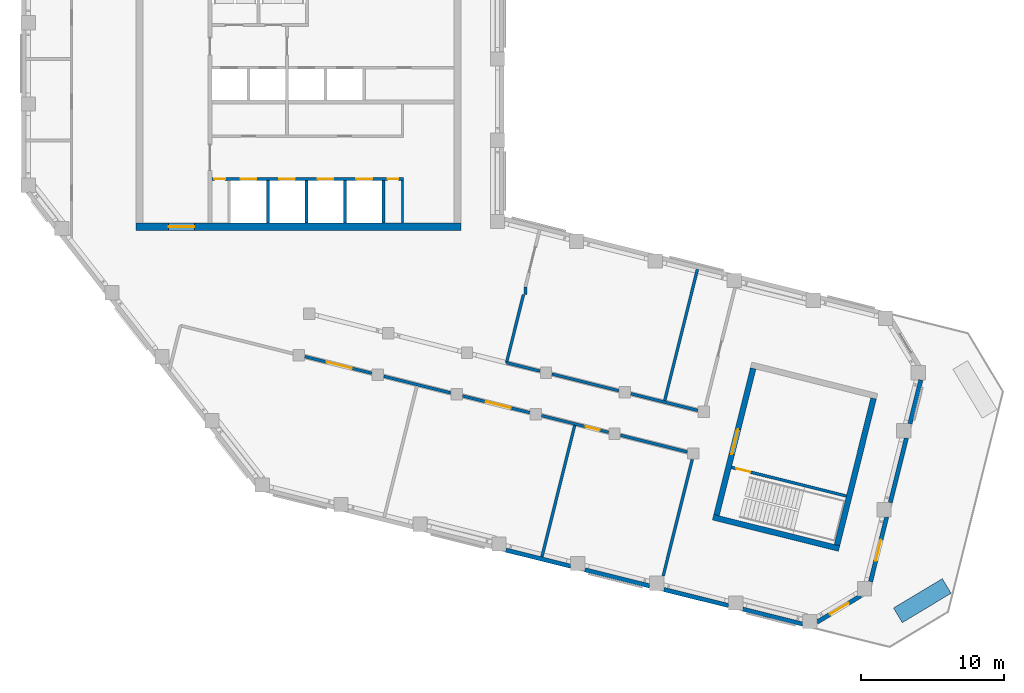
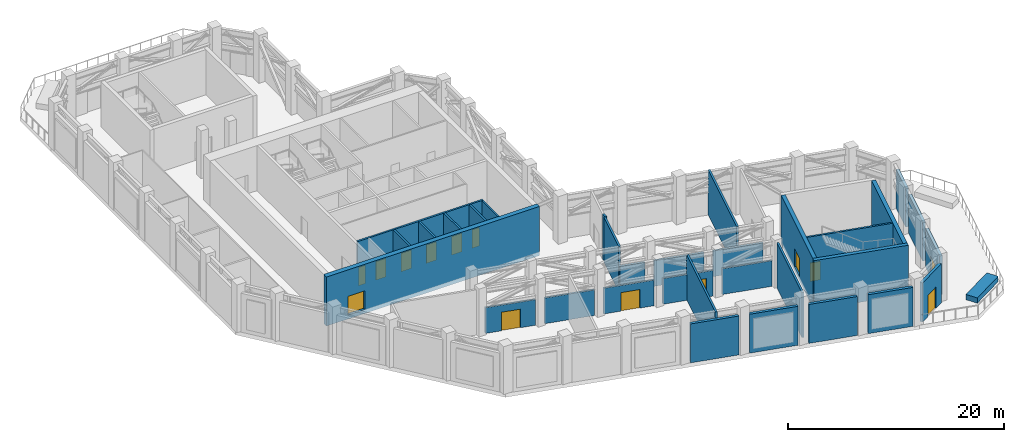
# One storey, part 4 of 8: 33 walls, 14 doors, 14 openings.
"""IFC4 building model written with IfcOpenShell, lengths in metres."""

import ifcopenshell
import ifcopenshell.guid

model = None  # the IFC model being written
_history = None  # IfcOwnerHistory: only IFC2X3 demands one
_inside = {}  # id of a spatial element -> (the spatial element, [elements in it])
_under = {}  # id of a project, library or spatial element -> (it, [spatial elements below it])
_declared = {}  # id of a project -> (the project, [libraries it declares])
_typed = {}  # id of a type object -> (the type object, [elements of that type])
_made_of = {}  # id of a material, layer set ... -> (it, [elements and type objects made of it])


def new_model(schema):
    """Start an empty IFC model of exactly this schema.

    Asked for "IFC4X3", IfcOpenShell would pick the latest addendum, in which some entities
    have other attributes; the version numbers below select the first issue.
    IFC2X3 requires an IfcOwnerHistory on every rooted entity: one is made here for all.
    """
    global model, _history
    if schema == "IFC4X3":
        model = ifcopenshell.file(schema_version=(4, 3, 0, 0))
    else:
        model = ifcopenshell.file(schema=schema)
    _inside.clear()
    _under.clear()
    _declared.clear()
    _typed.clear()
    _made_of.clear()
    _history = None
    if model.schema == "IFC2X3":
        org = make("IfcOrganization", Name="unknown")
        user = make(
            "IfcPersonAndOrganization",
            ThePerson=make("IfcPerson", FamilyName="unknown"),
            TheOrganization=org,
        )
        app = make(
            "IfcApplication",
            ApplicationDeveloper=org,
            Version="unknown",
            ApplicationFullName="unknown",
            ApplicationIdentifier="unknown",
        )
        _history = make(
            "IfcOwnerHistory",
            OwningUser=user,
            OwningApplication=app,
            ChangeAction="ADDED",
            CreationDate=0,
        )
    return model


def make(cls, **values):
    """One entity of the class cls with the attributes given. An attribute that is None is left unset."""
    return model.create_entity(
        cls, **{name: value for name, value in values.items() if value is not None}
    )


def rooted(cls, **values):
    """An entity with a GlobalId (a new one), such as an element, a storey or a relation."""
    return make(cls, GlobalId=ifcopenshell.guid.new(), OwnerHistory=_history, **values)


def si_unit(unit_type, name, prefix=None):
    """IfcSIUnit, for example si_unit("LENGTHUNIT", "METRE", prefix="MILLI")."""
    return make("IfcSIUnit", UnitType=unit_type, Prefix=prefix, Name=name)


def assignment(units):
    """IfcUnitAssignment: the units of a project."""
    return None if units is None else make("IfcUnitAssignment", Units=units)


def point(xyz):
    """IfcCartesianPoint."""
    return None if xyz is None else make("IfcCartesianPoint", Coordinates=xyz)


def direction(xyz):
    """IfcDirection."""
    return None if xyz is None else make("IfcDirection", DirectionRatios=xyz)


def frame(location, z_axis=None, x_axis=None):
    """IfcAxis2Placement3D, a coordinate frame: its origin and axes. An axis left out is left unset."""
    return make(
        "IfcAxis2Placement3D",
        Location=point(location),
        Axis=direction(z_axis),
        RefDirection=direction(x_axis),
    )


def frame_2d(location, x_axis=None):
    """IfcAxis2Placement2D, a coordinate frame in the plane: its origin and x axis."""
    return make(
        "IfcAxis2Placement2D", Location=point(location), RefDirection=direction(x_axis)
    )


def origin():
    """The frame at (0, 0, 0) with its axes left unset."""
    return frame((0.0, 0.0, 0.0))


def place(relative_to, where):
    """IfcLocalPlacement: puts the frame where relative to a parent placement (None: the world)."""
    return make(
        "IfcLocalPlacement", PlacementRelTo=relative_to, RelativePlacement=where
    )


def context(
    kind, dimensions, precision=None, world=None, true_north=None, identifier=None
):
    """IfcGeometricRepresentationContext, for example the 3D "Model" context."""
    return make(
        "IfcGeometricRepresentationContext",
        ContextIdentifier=identifier,
        ContextType=kind,
        CoordinateSpaceDimension=dimensions,
        Precision=precision,
        WorldCoordinateSystem=world,
        TrueNorth=true_north,
    )


def subcontext(parent, identifier, kind, view, scale=None):
    """IfcGeometricRepresentationSubContext, for example "Body" below "Model"."""
    return make(
        "IfcGeometricRepresentationSubContext",
        ContextIdentifier=identifier,
        ContextType=kind,
        ParentContext=parent,
        TargetScale=scale,
        TargetView=view,
    )


def project(units=None, contexts=None):
    """IfcProject with its units and contexts."""
    return rooted(
        "IfcProject",
        Name="project",
        RepresentationContexts=contexts,
        UnitsInContext=assignment(units),
    )


def spatial(cls, under=None, at=None, **own):
    """A site, building, storey or space (cls), placed at a placement, below another one or the project."""
    s = rooted(cls, ObjectPlacement=at, **own)
    if under is not None:
        _under.setdefault(under.id(), (under, []))[1].append(s)
    return s


def profile(cls, at=None, kind="AREA", **sizes):
    """A parametric profile (cls). Its sizes go by their IFC names, for example OverallWidth=200.0."""
    return make(cls, ProfileType=kind, Position=at, **sizes)


def rectangle(**sizes):
    """IfcRectangleProfileDef."""
    return profile("IfcRectangleProfileDef", **sizes)


def extrude(swept, where, along, depth):
    """IfcExtrudedAreaSolid: the profile swept, set in the frame where, extruded along a direction by depth."""
    return make(
        "IfcExtrudedAreaSolid",
        SweptArea=swept,
        Position=where,
        ExtrudedDirection=direction(along),
        Depth=depth,
    )


def shape(context_of_items, identifier, shape_type, items):
    """IfcShapeRepresentation: the items that make up one representation, for example the "Body"."""
    return make(
        "IfcShapeRepresentation",
        ContextOfItems=context_of_items,
        RepresentationIdentifier=identifier,
        RepresentationType=shape_type,
        Items=items,
    )


def material(Name=None, Category=None):
    """IfcMaterial."""
    return make("IfcMaterial", Name=Name, Category=Category)


def layer(
    of_material, thickness, ventilated=None, Name=None, Category=None, Priority=None
):
    """IfcMaterialLayer: one layer of a wall or slab, of a material (None: an air gap)."""
    return make(
        "IfcMaterialLayer",
        Material=of_material,
        LayerThickness=thickness,
        IsVentilated=ventilated,
        Name=Name,
        Category=Category,
        Priority=Priority,
    )


def layer_set(layers, Name=None):
    """IfcMaterialLayerSet."""
    return make("IfcMaterialLayerSet", MaterialLayers=layers, LayerSetName=Name)


def made_of(thing, what):
    """Note that an element or type object is made of a material, layer set ...; save() writes the relation."""
    if what is not None:
        _made_of.setdefault(what.id(), (what, []))[1].append(thing)
    return thing


def type_object(cls, material=None, **own):
    """A type object (cls), such as IfcWallType, which elements share."""
    return made_of(rooted(cls, **own), material)


def element(
    cls,
    number,
    at=None,
    inside=None,
    cuts=None,
    type_object=None,
    material=None,
    context=None,
    identifier="Body",
    shape_type=None,
    held_by="IfcProductDefinitionShape",
    body=None,
    shapes=None,
    **own,
):
    """One element of the class cls, such as IfcWall. Its Tag is "e" and its number.

    at: its placement. inside: the storey or other place that contains it. cuts: it is an
    opening in that element (IfcRelVoidsElement). A single representation is given by context,
    identifier, shape_type and body (its items); several are given by shapes. held_by: the class
    of the entity that holds the representations. save() writes the other relations.
    """
    e = rooted(cls, Tag="e%d" % number, ObjectPlacement=at, **own)
    if body is not None:
        shapes = [shape(context, identifier, shape_type, body)]
    if shapes is not None:
        e.Representation = make(held_by, Representations=shapes)
    if inside is not None:
        _inside.setdefault(inside.id(), (inside, []))[1].append(e)
    if cuts is not None:
        rooted(
            "IfcRelVoidsElement", RelatingBuildingElement=cuts, RelatedOpeningElement=e
        )
    if type_object is not None:
        _typed.setdefault(type_object.id(), (type_object, []))[1].append(e)
    return made_of(e, material)


def fill(opening, filler):
    """IfcRelFillsElement: the door or window that sits in an opening."""
    return rooted(
        "IfcRelFillsElement",
        RelatingOpeningElement=opening,
        RelatedBuildingElement=filler,
    )


def aggregate(whole, parts):
    """IfcRelAggregates: a whole, such as a stair, and the parts it consists of."""
    return rooted("IfcRelAggregates", RelatingObject=whole, RelatedObjects=parts)


def save(model, path):
    """Write the relations noted so far, then the file.

    IfcRelAggregates (storeys below a building ...), IfcRelContainedInSpatialStructure (elements
    in a storey), IfcRelDefinesByType, IfcRelAssociatesMaterial and IfcRelDeclares: one each for
    every whole, place, type object, material and project.
    """
    for whole, parts in _under.values():
        aggregate(whole, parts)
    for where, things in _inside.values():
        rooted(
            "IfcRelContainedInSpatialStructure",
            RelatedElements=things,
            RelatingStructure=where,
        )
    for kind, things in _typed.values():
        rooted("IfcRelDefinesByType", RelatedObjects=things, RelatingType=kind)
    for what, things in _made_of.values():
        rooted("IfcRelAssociatesMaterial", RelatedObjects=things, RelatingMaterial=what)
    for by, libraries in _declared.values():
        rooted("IfcRelDeclares", RelatingContext=by, RelatedDefinitions=libraries)
    model.write(path)


model = new_model("IFC4")

# Units and contexts
model_context = context("Model", 3, precision=1e-05, world=origin(), true_north=direction((0.0, 1.0)))
body_context = subcontext(model_context, "Body", "Model", "MODEL_VIEW")
ifc_project = project(units=[si_unit("LENGTHUNIT", "METRE"), si_unit("AREAUNIT", "SQUARE_METRE"), si_unit("VOLUMEUNIT", "CUBIC_METRE"), si_unit("PLANEANGLEUNIT", "RADIAN"), si_unit("MASSUNIT", "GRAM", prefix="KILO")], contexts=[model_context])

# Site, building, storey
site_placement = place(None, origin())
site = spatial("IfcSite", under=ifc_project, at=site_placement, CompositionType="ELEMENT")
building_placement = place(site_placement, origin())
building = spatial("IfcBuilding", under=site, at=building_placement, Name="Meshkara Civic Tower", CompositionType="ELEMENT")
storey_placement = place(building_placement, frame((0.0, 0.0, 348.60009765625)))
storey = spatial("IfcBuildingStorey", under=building, at=storey_placement, Name="L80", CompositionType="ELEMENT", Elevation=348.60009765625)

# Wall
ifc_material_1 = material(Name="Blockwork", Category="masonry")
ifc_layer_1 = layer(ifc_material_1, 0.14990234375)
ifc_layer_set_1 = layer_set([ifc_layer_1], Name="Core partition 150")
wall_type_1 = type_object("IfcWallType", Name="Core partition 150", PredefinedType="PARTITIONING", material=ifc_layer_set_1)
wall_1_placement = place(storey_placement, frame((26.699951171875, 14.60009765625, 0.0), z_axis=(0.0, 0.0, 1.0), x_axis=(0.0, 1.0, 0.0)))
element("IfcWall", 1, at=wall_1_placement, inside=storey, type_object=wall_type_1, Name="L80-C024", PredefinedType="PARTITIONING", context=body_context, shape_type="SweptSolid", body=[
    extrude(rectangle(XDim=3.0, YDim=0.14990234375, at=frame_2d((1.5, 0.0))), origin(), (0.0, 0.0, 1.0), 5.099853515625),
])

# Wall, opening, door
ifc_material_2 = material(Name="Concrete C60", Category="concrete")
ifc_layer_2 = layer(ifc_material_2, 0.5)
ifc_layer_set_2 = layer_set([ifc_layer_2], Name="Core ring wall 500 C60")
wall_type_2 = type_object("IfcWallType", Name="Core ring wall 500 C60", PredefinedType="SHEAR", material=ifc_layer_set_2)
wall_2_placement = place(storey_placement, frame((8.0, 14.35009765625, -0.4501953125), z_axis=(0.0, 0.0, 1.0), x_axis=(1.0, 0.0, 0.0)))
wall_2 = element("IfcWall", 2, at=wall_2_placement, inside=storey, type_object=wall_type_2, Name="L80-C001", PredefinedType="SHEAR", context=body_context, shape_type="SweptSolid", body=[
    extrude(rectangle(XDim=22.800048828125, YDim=0.5, at=frame_2d((11.39990234375, 0.0))), origin(), (0.0, 0.0, 1.0), 5.550048828125),
])
opening_1_placement = place(wall_2_placement, frame((2.300048828125, 0.0, 0.449951171875)))
opening_1 = element("IfcOpeningElement", 3, at=opening_1_placement, cuts=wall_2, Name="Opening L80-K023", PredefinedType="OPENING", context=body_context, shape_type="SweptSolid", body=[
    extrude(rectangle(XDim=1.800048828125, YDim=2.10009765625, at=frame_2d((0.89990234375, 1.050048828125))), frame((0.0, 0.260009765625, 0.0), z_axis=(0.0, -1.0, 0.0), x_axis=(1.0, 0.0, 0.0)), (0.0, 0.0, 1.0), 0.52001953125),
])
ifc_material_3 = material(Name="Fire-rated door leaf in steel frame", Category="steel")
door_type_1 = type_object("IfcDoorType", Name="Core double door 1800 EI 60", OperationType="DOUBLE_DOOR_SINGLE_SWING", PredefinedType="DOOR", material=ifc_material_3)
door_1_placement = place(opening_1_placement, origin())
door_1 = element("IfcDoor", 4, at=door_1_placement, inside=storey, type_object=door_type_1, Name="L80-K023", OperationType="DOUBLE_DOOR_SINGLE_SWING", OverallHeight=2.10009765625, OverallWidth=1.800048828125, PredefinedType="DOOR", context=body_context, shape_type="SweptSolid", body=[
    extrude(rectangle(XDim=1.800048828125, YDim=2.10009765625, at=frame_2d((0.89990234375, 1.050048828125))), frame((0.0, 0.02490234375, 0.0), z_axis=(0.0, -1.0, 0.0), x_axis=(1.0, 0.0, 0.0)), (0.0, 0.0, 1.0), 0.050048828125),
])
fill(opening_1, door_1)

# Walls
ifc_material_4 = material(Name="Insulated infill panel with bronze anodised aluminium cladding", Category="aluminium")
ifc_layer_3 = layer(ifc_material_4, 0.300048828125)
ifc_layer_set_3 = layer_set([ifc_layer_3], Name="EXTERNAL INFILL WALL 300")
wall_type_3 = type_object("IfcWallType", Name="EXTERNAL INFILL WALL 300", PredefinedType="SOLIDWALL", material=ifc_layer_set_3)
wall_3_placement = place(storey_placement, frame((33.943115234375, -8.30908203125, 0.0), z_axis=(0.0, 0.0, 1.0), x_axis=(0.970335948358, -0.241760516472, 0.0)))
element("IfcWall", 5, at=wall_3_placement, inside=storey, type_object=wall_type_3, Name="External wall", PredefinedType="SOLIDWALL", context=body_context, shape_type="SweptSolid", body=[
    extrude(rectangle(XDim=4.66943359375, YDim=0.300048828125, at=frame_2d((2.334716796875, 0.0))), origin(), (0.0, 0.0, 1.0), 4.39990234375),
])
wall_4_placement = place(storey_placement, frame((39.47412109375, -9.68798828125, 0.0), z_axis=(0.0, 0.0, 1.0), x_axis=(0.970320663071, -0.241821857607, 0.0)))
element("IfcWall", 6, at=wall_4_placement, inside=storey, type_object=wall_type_3, Name="External wall", PredefinedType="SOLIDWALL", context=body_context, shape_type="SweptSolid", body=[
    extrude(rectangle(XDim=4.66845703125, YDim=0.300048828125, at=frame_2d((2.334228515625, 0.0))), origin(), (0.0, 0.0, 1.0), 4.39990234375),
])
wall_5_placement = place(storey_placement, frame((45.00390625, -11.06689453125, 0.0), z_axis=(0.0, 0.0, 1.0), x_axis=(0.970323682052, -0.241809743493, 0.0)))
element("IfcWall", 7, at=wall_5_placement, inside=storey, type_object=wall_type_3, Name="External wall", PredefinedType="SOLIDWALL", context=body_context, shape_type="SweptSolid", body=[
    extrude(rectangle(XDim=4.669677734375, YDim=0.300048828125, at=frame_2d((2.3349609375, 0.0))), origin(), (0.0, 0.0, 1.0), 4.39990234375),
])
wall_6_placement = place(storey_placement, frame((50.534912109375, -12.446044921875, 0.0), z_axis=(0.0, 0.0, 1.0), x_axis=(0.970314773992, -0.241845486566, 0.0)))
element("IfcWall", 8, at=wall_6_placement, inside=storey, type_object=wall_type_3, Name="External wall", PredefinedType="SOLIDWALL", context=body_context, shape_type="SweptSolid", body=[
    extrude(rectangle(XDim=4.32861328125, YDim=0.300048828125, at=frame_2d((2.164306640625, 0.0))), origin(), (0.0, 0.0, 1.0), 4.39990234375),
])

# Wall, opening, door
wall_7_placement = place(storey_placement, frame((55.735107421875, -13.35791015625, 0.0), z_axis=(0.0, 0.0, 1.0), x_axis=(0.857156682927, 0.515055745442, 0.0)))
wall_7 = element("IfcWall", 9, at=wall_7_placement, inside=storey, type_object=wall_type_3, Name="External wall", PredefinedType="SOLIDWALL", context=body_context, shape_type="SweptSolid", body=[
    extrude(rectangle(XDim=3.589599609375, YDim=0.300048828125, at=frame_2d((1.794921875, 0.0))), origin(), (0.0, 0.0, 1.0), 4.39990234375),
])
opening_2_placement = place(wall_7_placement, frame((1.077880859375, 0.0, 0.0)))
opening_2 = element("IfcOpeningElement", 10, at=opening_2_placement, cuts=wall_7, Name="Opening L80-L005", PredefinedType="OPENING", context=body_context, shape_type="SweptSolid", body=[
    extrude(rectangle(XDim=1.5, YDim=2.39990234375, at=frame_2d((0.75, 1.199951171875))), frame((0.0, 0.159912109375, 0.0), z_axis=(0.0, -1.0, 0.0), x_axis=(1.0, 0.0, 0.0)), (0.0, 0.0, 1.0), 0.320068359375),
])
ifc_material_5 = material(Name="Bronze anodised aluminium", Category="aluminium")
door_type_2 = type_object("IfcDoorType", Name="TERRACE DOOR 1500x2400", OperationType="DOUBLE_DOOR_SINGLE_SWING", PredefinedType="DOOR", material=ifc_material_5)
door_2_placement = place(opening_2_placement, origin())
door_2 = element("IfcDoor", 11, at=door_2_placement, inside=storey, type_object=door_type_2, Name="L80-L005", OperationType="DOUBLE_DOOR_SINGLE_SWING", OverallHeight=2.39990234375, OverallWidth=1.5, PredefinedType="DOOR", context=body_context, shape_type="SweptSolid", body=[
    extrude(rectangle(XDim=1.5, YDim=2.39990234375, at=frame_2d((0.75, 1.199951171875))), frame((0.0, 0.02490234375, 0.0), z_axis=(0.0, -1.0, 0.0), x_axis=(1.0, 0.0, 0.0)), (0.0, 0.0, 1.0), 0.050048828125),
])
fill(opening_2, door_2)

wall_8_placement = place(storey_placement, frame((59.4951171875, -10.509033203125, 0.0), z_axis=(0.0, 0.0, 1.0), x_axis=(0.241957413354, 0.970286870015, 0.0)))
wall_8 = element("IfcWall", 12, at=wall_8_placement, inside=storey, type_object=wall_type_3, Name="External wall", PredefinedType="SOLIDWALL", context=body_context, shape_type="SweptSolid", body=[
    extrude(rectangle(XDim=4.669677734375, YDim=0.300048828125, at=frame_2d((2.3349609375, 0.0))), origin(), (0.0, 0.0, 1.0), 4.39990234375),
])
opening_3_placement = place(wall_8_placement, frame((1.509033203125, 0.0, 0.0)))
opening_3 = element("IfcOpeningElement", 13, at=opening_3_placement, cuts=wall_8, Name="Opening L80-L006", PredefinedType="OPENING", context=body_context, shape_type="SweptSolid", body=[
    extrude(rectangle(XDim=1.5, YDim=2.39990234375, at=frame_2d((0.75, 1.199951171875))), frame((0.0, 0.159912109375, 0.0), z_axis=(0.0, -1.0, 0.0), x_axis=(1.0, 0.0, 0.0)), (0.0, 0.0, 1.0), 0.320068359375),
])
door_3_placement = place(opening_3_placement, origin())
door_3 = element("IfcDoor", 14, at=door_3_placement, inside=storey, type_object=door_type_2, Name="L80-L006", OperationType="DOUBLE_DOOR_SINGLE_SWING", OverallHeight=2.39990234375, OverallWidth=1.5, PredefinedType="DOOR", context=body_context, shape_type="SweptSolid", body=[
    extrude(rectangle(XDim=1.5, YDim=2.39990234375, at=frame_2d((0.75, 1.199951171875))), frame((0.0, 0.02490234375, 0.0), z_axis=(0.0, -1.0, 0.0), x_axis=(1.0, 0.0, 0.0)), (0.0, 0.0, 1.0), 0.050048828125),
])
fill(opening_3, door_3)

# Walls
wall_9_placement = place(storey_placement, frame((60.8740234375, -4.97802734375, 0.0), z_axis=(0.0, 0.0, 1.0), x_axis=(0.242006518844, 0.970274623412, 0.0)))
element("IfcWall", 15, at=wall_9_placement, inside=storey, type_object=wall_type_3, Name="External wall", PredefinedType="SOLIDWALL", context=body_context, shape_type="SweptSolid", body=[
    extrude(rectangle(XDim=4.668701171875, YDim=0.300048828125, at=frame_2d((2.33447265625, 0.0))), origin(), (0.0, 0.0, 1.0), 4.39990234375),
])
wall_10_placement = place(storey_placement, frame((62.2529296875, 0.552001953125, 0.0), z_axis=(0.0, 0.0, 1.0), x_axis=(0.242062480278, 0.970260663761, 0.0)))
element("IfcWall", 16, at=wall_10_placement, inside=storey, type_object=wall_type_3, Name="External wall", PredefinedType="SOLIDWALL", context=body_context, shape_type="SweptSolid", body=[
    extrude(rectangle(XDim=3.156982421875, YDim=0.300048828125, at=frame_2d((1.57861328125, 0.0))), origin(), (0.0, 0.0, 1.0), 4.39990234375),
])
ifc_material_6 = material(Name="Concrete C60", Category="concrete")
ifc_layer_4 = layer(ifc_material_6, 0.39990234375)
ifc_layer_set_4 = layer_set([ifc_layer_4], Name="End core ring wall 400 C60")
wall_type_4 = type_object("IfcWallType", Name="End core ring wall 400 C60", PredefinedType="SHEAR", material=ifc_layer_set_4)
wall_11_placement = place(storey_placement, frame((48.4580078125, -6.0009765625, -0.4501953125), z_axis=(0.0, 0.0, 1.0), x_axis=(0.970281225948, -0.241980045814, 0.0)))
element("IfcWall", 17, at=wall_11_placement, inside=storey, type_object=wall_type_4, Name="L80-C032", PredefinedType="SHEAR", context=body_context, shape_type="SweptSolid", body=[
    extrude(rectangle(XDim=9.099609375, YDim=0.39990234375, at=frame_2d((4.5498046875, 0.0))), origin(), (0.0, 0.0, 1.0), 5.550048828125),
])

# Wall, opening, door
wall_12_placement = place(storey_placement, frame((48.699951171875, -5.85595703125, -0.4501953125), z_axis=(0.0, 0.0, 1.0), x_axis=(0.241869030534, 0.970308905488, 0.0)))
wall_12 = element("IfcWall", 18, at=wall_12_placement, inside=storey, type_object=wall_type_4, Name="L80-C034", PredefinedType="SHEAR", context=body_context, shape_type="SweptSolid", body=[
    extrude(rectangle(XDim=10.6005859375, YDim=0.39990234375, at=frame_2d((5.30029296875, 0.0))), origin(), (0.0, 0.0, 1.0), 5.550048828125),
])
opening_4_placement = place(wall_12_placement, frame((4.39990234375, 0.0, 0.449951171875)))
opening_4 = element("IfcOpeningElement", 19, at=opening_4_placement, cuts=wall_12, Name="Opening L80-K202", PredefinedType="OPENING", context=body_context, shape_type="SweptSolid", body=[
    extrude(rectangle(XDim=1.800048828125, YDim=2.10009765625, at=frame_2d((0.89990234375, 1.050048828125))), frame((0.0, 0.2099609375, 0.0), z_axis=(0.0, -1.0, 0.0), x_axis=(1.0, 0.0, 0.0)), (0.0, 0.0, 1.0), 0.419921875),
])
door_4_placement = place(opening_4_placement, origin())
door_4 = element("IfcDoor", 20, at=door_4_placement, inside=storey, type_object=door_type_1, Name="L80-K202", OperationType="DOUBLE_DOOR_SINGLE_SWING", OverallHeight=2.10009765625, OverallWidth=1.800048828125, PredefinedType="DOOR", context=body_context, shape_type="SweptSolid", body=[
    extrude(rectangle(XDim=1.800048828125, YDim=2.10009765625, at=frame_2d((0.89990234375, 1.050048828125))), frame((0.0, 0.02490234375, 0.0), z_axis=(0.0, -1.0, 0.0), x_axis=(1.0, 0.0, 0.0)), (0.0, 0.0, 1.0), 0.050048828125),
])
fill(opening_4, door_4)

# Wall
wall_13_placement = place(storey_placement, frame((57.14208984375, -7.9599609375, -0.4501953125), z_axis=(0.0, 0.0, 1.0), x_axis=(0.241890652548, 0.970303515509, 0.0)))
element("IfcWall", 21, at=wall_13_placement, inside=storey, type_object=wall_type_4, Name="L80-C035", PredefinedType="SHEAR", context=body_context, shape_type="SweptSolid", body=[
    extrude(rectangle(XDim=10.599609375, YDim=0.39990234375, at=frame_2d((5.2998046875, 0.0))), origin(), (0.0, 0.0, 1.0), 5.550048828125),
])

# Wall, opening, door
ifc_material_7 = material(Name="Fire-rated wall 200")
ifc_layer_5 = layer(ifc_material_7, 0.199951171875)
ifc_layer_set_5 = layer_set([ifc_layer_5], Name="Fire-rated wall 200")
wall_type_5 = type_object("IfcWallType", Name="Fire-rated wall 200", PredefinedType="PARTITIONING", material=ifc_layer_set_5)
wall_14_placement = place(storey_placement, frame((19.843994140625, 5.256103515625, 0.0), z_axis=(0.0, 0.0, 1.0), x_axis=(0.970255294877, -0.242083999393, 0.0)))
wall_14 = element("IfcWall", 22, at=wall_14_placement, inside=storey, type_object=wall_type_5, Name="L80-R005", PredefinedType="PARTITIONING", context=body_context, shape_type="SweptSolid", body=[
    extrude(rectangle(XDim=4.833740234375, YDim=0.199951171875, at=frame_2d((2.4169921875, 0.0))), origin(), (0.0, 0.0, 1.0), 2.89990234375),
])
opening_5_placement = place(wall_14_placement, frame((1.580078125, 0.0, 0.0)))
opening_5 = element("IfcOpeningElement", 23, at=opening_5_placement, cuts=wall_14, Name="Opening L80-P001", PredefinedType="OPENING", context=body_context, shape_type="SweptSolid", body=[
    extrude(rectangle(XDim=1.800048828125, YDim=2.10009765625, at=frame_2d((0.89990234375, 1.050048828125))), frame((0.0, 0.10986328125, 0.0), z_axis=(0.0, -1.0, 0.0), x_axis=(1.0, 0.0, 0.0)), (0.0, 0.0, 1.0), 0.219970703125),
])
ifc_material_8 = material(Name="Door pair 1800 x 2100")
door_type_3 = type_object("IfcDoorType", Name="Door pair 1800 x 2100", OperationType="SINGLE_SWING_LEFT", PredefinedType="DOOR", material=ifc_material_8)
door_5_placement = place(opening_5_placement, origin())
door_5 = element("IfcDoor", 24, at=door_5_placement, inside=storey, type_object=door_type_3, Name="L80-P001", OperationType="DOUBLE_DOOR_SINGLE_SWING", OverallHeight=2.10009765625, OverallWidth=1.800048828125, PredefinedType="DOOR", context=body_context, shape_type="SweptSolid", body=[
    extrude(rectangle(XDim=1.800048828125, YDim=2.10009765625, at=frame_2d((0.89990234375, 1.050048828125))), frame((0.0, 0.02490234375, 0.0), z_axis=(0.0, -1.0, 0.0), x_axis=(1.0, 0.0, 0.0)), (0.0, 0.0, 1.0), 0.050048828125),
])
fill(opening_5, door_5)

# Wall
wall_15_placement = place(storey_placement, frame((25.3740234375, 3.876953125, 0.0), z_axis=(0.0, 0.0, 1.0), x_axis=(0.970278989292, -0.241989014088, 0.0)))
element("IfcWall", 25, at=wall_15_placement, inside=storey, type_object=wall_type_5, Name="L80-R006", PredefinedType="PARTITIONING", context=body_context, shape_type="SweptSolid", body=[
    extrude(rectangle(XDim=4.834716796875, YDim=0.199951171875, at=frame_2d((2.41748046875, 0.0))), origin(), (0.0, 0.0, 1.0), 2.89990234375),
])

# Wall, opening, door
wall_16_placement = place(storey_placement, frame((30.905029296875, 2.498046875, 0.0), z_axis=(0.0, 0.0, 1.0), x_axis=(0.970267131373, -0.24203655463, 0.0)))
wall_16 = element("IfcWall", 26, at=wall_16_placement, inside=storey, type_object=wall_type_5, Name="L80-R007", PredefinedType="PARTITIONING", context=body_context, shape_type="SweptSolid", body=[
    extrude(rectangle(XDim=4.834716796875, YDim=0.199951171875, at=frame_2d((2.41748046875, 0.0))), origin(), (0.0, 0.0, 1.0), 2.89990234375),
])
opening_6_placement = place(wall_16_placement, frame((1.679931640625, 0.0, 0.0)))
opening_6 = element("IfcOpeningElement", 27, at=opening_6_placement, cuts=wall_16, Name="Opening L80-P002", PredefinedType="OPENING", context=body_context, shape_type="SweptSolid", body=[
    extrude(rectangle(XDim=1.800048828125, YDim=2.10009765625, at=frame_2d((0.89990234375, 1.050048828125))), frame((0.0, 0.10986328125, 0.0), z_axis=(0.0, -1.0, 0.0), x_axis=(1.0, 0.0, 0.0)), (0.0, 0.0, 1.0), 0.219970703125),
])
door_6_placement = place(opening_6_placement, origin())
door_6 = element("IfcDoor", 28, at=door_6_placement, inside=storey, type_object=door_type_3, Name="L80-P002", OperationType="DOUBLE_DOOR_SINGLE_SWING", OverallHeight=2.10009765625, OverallWidth=1.800048828125, PredefinedType="DOOR", context=body_context, shape_type="SweptSolid", body=[
    extrude(rectangle(XDim=1.800048828125, YDim=2.10009765625, at=frame_2d((0.89990234375, 1.050048828125))), frame((0.0, 0.02490234375, 0.0), z_axis=(0.0, -1.0, 0.0), x_axis=(1.0, 0.0, 0.0)), (0.0, 0.0, 1.0), 0.050048828125),
])
fill(opening_6, door_6)

# Walls
wall_17_placement = place(storey_placement, frame((33.97607421875, 4.823974609375, 0.0), z_axis=(0.0, 0.0, 1.0), x_axis=(0.241940400058, 0.970291112409, 0.0)))
element("IfcWall", 29, at=wall_17_placement, inside=storey, type_object=wall_type_5, Name="L80-R008", PredefinedType="PARTITIONING", context=body_context, shape_type="SweptSolid", body=[
    extrude(rectangle(XDim=4.92236328125, YDim=0.199951171875, at=frame_2d((2.461181640625, 0.0))), origin(), (0.0, 0.0, 1.0), 5.099853515625),
])
wall_18_placement = place(storey_placement, frame((35.300048828125, 9.60009765625, 0.0), z_axis=(0.0, 0.0, 1.0), x_axis=(0.0, 1.0, 0.0)))
element("IfcWall", 30, at=wall_18_placement, inside=storey, type_object=wall_type_5, Name="L80-R009", PredefinedType="PARTITIONING", context=body_context, shape_type="SweptSolid", body=[
    extrude(rectangle(XDim=0.533935546875, YDim=0.199951171875, at=frame_2d((0.26708984375, 0.0))), origin(), (0.0, 0.0, 1.0), 5.099853515625),
])
wall_19_placement = place(storey_placement, frame((36.322021484375, 4.239013671875, 0.0), z_axis=(0.0, 0.0, 1.0), x_axis=(-0.970290814328, 0.241941595497, 0.0)))
element("IfcWall", 31, at=wall_19_placement, inside=storey, type_object=wall_type_5, Name="L80-R011", PredefinedType="PARTITIONING", context=body_context, shape_type="SweptSolid", body=[
    extrude(rectangle(XDim=2.417724609375, YDim=0.199951171875, at=frame_2d((1.208984375, 0.0))), origin(), (0.0, 0.0, 1.0), 2.89990234375),
])

# Wall, opening, door
wall_20_placement = place(storey_placement, frame((36.43603515625, 1.118896484375, 0.0), z_axis=(0.0, 0.0, 1.0), x_axis=(0.970267157301, -0.242036450692, 0.0)))
wall_20 = element("IfcWall", 32, at=wall_20_placement, inside=storey, type_object=wall_type_5, Name="L80-R012", PredefinedType="PARTITIONING", context=body_context, shape_type="SweptSolid", body=[
    extrude(rectangle(XDim=4.833740234375, YDim=0.199951171875, at=frame_2d((2.4169921875, 0.0))), origin(), (0.0, 0.0, 1.0), 2.89990234375),
])
opening_7_placement = place(wall_20_placement, frame((3.196044921875, 0.0, 0.0)))
opening_7 = element("IfcOpeningElement", 33, at=opening_7_placement, cuts=wall_20, Name="Opening L80-P003", PredefinedType="OPENING", context=body_context, shape_type="SweptSolid", body=[
    extrude(rectangle(XDim=1.0, YDim=2.10009765625, at=frame_2d((0.5, 1.050048828125))), frame((0.0, 0.10986328125, 0.0), z_axis=(0.0, -1.0, 0.0), x_axis=(1.0, 0.0, 0.0)), (0.0, 0.0, 1.0), 0.219970703125),
])
ifc_material_9 = material(Name="Door 1000 x 2100")
door_type_4 = type_object("IfcDoorType", Name="Door 1000 x 2100", OperationType="SINGLE_SWING_LEFT", PredefinedType="DOOR", material=ifc_material_9)
door_7_placement = place(opening_7_placement, origin())
door_7 = element("IfcDoor", 34, at=door_7_placement, inside=storey, type_object=door_type_4, Name="L80-P003", OperationType="SINGLE_SWING_LEFT", OverallHeight=2.10009765625, OverallWidth=1.0, PredefinedType="DOOR", context=body_context, shape_type="SweptSolid", body=[
    extrude(rectangle(XDim=1.0, YDim=2.10009765625, at=frame_2d((0.5, 1.050048828125))), frame((0.0, 0.02490234375, 0.0), z_axis=(0.0, -1.0, 0.0), x_axis=(1.0, 0.0, 0.0)), (0.0, 0.0, 1.0), 0.050048828125),
])
fill(opening_7, door_7)

# Walls
wall_21_placement = place(storey_placement, frame((41.85205078125, 2.860107421875, 0.0), z_axis=(0.0, 0.0, 1.0), x_axis=(-0.970267157301, 0.242036450692, 0.0)))
element("IfcWall", 35, at=wall_21_placement, inside=storey, type_object=wall_type_5, Name="L80-R013", PredefinedType="PARTITIONING", context=body_context, shape_type="SweptSolid", body=[
    extrude(rectangle(XDim=4.833740234375, YDim=0.199951171875, at=frame_2d((2.4169921875, 0.0))), origin(), (0.0, 0.0, 1.0), 2.89990234375),
])
wall_22_placement = place(storey_placement, frame((41.966064453125, -0.260009765625, 0.0), z_axis=(0.0, 0.0, 1.0), x_axis=(0.970278989292, -0.241989014088, 0.0)))
element("IfcWall", 36, at=wall_22_placement, inside=storey, type_object=wall_type_5, Name="L80-R014", PredefinedType="PARTITIONING", context=body_context, shape_type="SweptSolid", body=[
    extrude(rectangle(XDim=4.834716796875, YDim=0.199951171875, at=frame_2d((2.41748046875, 0.0))), origin(), (0.0, 0.0, 1.0), 2.89990234375),
])
wall_23_placement = place(storey_placement, frame((42.69189453125, 2.65087890625, 0.0), z_axis=(0.0, 0.0, 1.0), x_axis=(0.970281946202, -0.241977157752, 0.0)))
element("IfcWall", 37, at=wall_23_placement, inside=storey, type_object=wall_type_5, Name="L80-R015", PredefinedType="PARTITIONING", context=body_context, shape_type="SweptSolid", body=[
    extrude(rectangle(XDim=4.8349609375, YDim=0.199951171875, at=frame_2d((2.41748046875, 0.0))), origin(), (0.0, 0.0, 1.0), 2.89990234375),
])
wall_24_placement = place(storey_placement, frame((46.993896484375, -1.955078125, 0.0), z_axis=(0.0, 0.0, 1.0), x_axis=(-0.242023174026, -0.970270469114, 0.0)))
element("IfcWall", 38, at=wall_24_placement, inside=storey, type_object=wall_type_5, Name="L80-R016", PredefinedType="PARTITIONING", context=body_context, shape_type="SweptSolid", body=[
    extrude(rectangle(XDim=8.407958984375, YDim=0.199951171875, at=frame_2d((4.2041015625, 0.0))), origin(), (0.0, 0.0, 1.0), 5.099853515625),
])
wall_25_placement = place(storey_placement, frame((36.45361328125, -8.800537109375, 0.0), z_axis=(0.0, 0.0, 1.0), x_axis=(0.24194732437, 0.970289385818, 0.0)))
element("IfcWall", 39, at=wall_25_placement, inside=storey, type_object=wall_type_5, Name="L80-R022", PredefinedType="PARTITIONING", context=body_context, shape_type="SweptSolid", body=[
    extrude(rectangle(XDim=9.570068359375, YDim=0.199951171875, at=frame_2d((4.78515625, 0.0))), origin(), (0.0, 0.0, 1.0), 5.099853515625),
])
wall_26_placement = place(storey_placement, frame((45.050048828125, 2.114990234375, 0.0), z_axis=(0.0, 0.0, 1.0), x_axis=(0.241977272759, 0.970281917521, 0.0)))
element("IfcWall", 40, at=wall_26_placement, inside=storey, type_object=wall_type_5, Name="L80-R023", PredefinedType="PARTITIONING", context=body_context, shape_type="SweptSolid", body=[
    extrude(rectangle(XDim=9.56884765625, YDim=0.199951171875, at=frame_2d((4.784423828125, 0.0))), origin(), (0.0, 0.0, 1.0), 5.099853515625),
])
ifc_material_10 = material(Name="Concrete C40", Category="concrete")
ifc_layer_6 = layer(ifc_material_10, 1.199951171875)
ifc_layer_set_6 = layer_set([ifc_layer_6], Name="PLANTING BED")
wall_type_6 = type_object("IfcWallType", Name="PLANTING BED", PredefinedType="SOLIDWALL", material=ifc_layer_set_6)
wall_27_placement = place(storey_placement, frame((64.8310546875, -10.820068359375, 0.0), z_axis=(0.0, 0.0, 1.0), x_axis=(-0.857024019472, -0.515276459823, 0.0)))
element("IfcWall", 41, at=wall_27_placement, inside=storey, type_object=wall_type_6, Name="Planting bed", PredefinedType="SOLIDWALL", context=body_context, shape_type="SweptSolid", body=[
    extrude(rectangle(XDim=3.999755859375, YDim=1.199951171875, at=frame_2d((2.0, 0.0))), origin(), (0.0, 0.0, 1.0), 0.599853515625),
])

# Wall, openings, doors
ifc_material_11 = material(Name="Concrete C40/50", Category="concrete")
ifc_layer_7 = layer(ifc_material_11, 0.199951171875)
ifc_layer_set_7 = layer_set([ifc_layer_7], Name="Shaft wall 200 C40/50")
wall_type_7 = type_object("IfcWallType", Name="Shaft wall 200 C40/50", PredefinedType="SOLIDWALL", material=ifc_layer_set_7)
wall_28_placement = place(storey_placement, frame((13.35009765625, 17.699951171875, 0.0), z_axis=(0.0, 0.0, 1.0), x_axis=(1.0, 0.0, 0.0)))
wall_28 = element("IfcWall", 42, at=wall_28_placement, inside=storey, type_object=wall_type_7, Name="L80-C005", PredefinedType="SOLIDWALL", context=body_context, shape_type="SweptSolid", body=[
    extrude(rectangle(XDim=13.4248046875, YDim=0.199951171875, at=frame_2d((6.71240234375, 0.0))), origin(), (0.0, 0.0, 1.0), 5.099853515625),
])
opening_8_placement = place(wall_28_placement, frame((2.0, 0.0, 0.0)))
opening_8 = element("IfcOpeningElement", 43, at=opening_8_placement, cuts=wall_28, Name="Opening L80-K001", PredefinedType="OPENING", context=body_context, shape_type="SweptSolid", body=[
    extrude(rectangle(XDim=1.10009765625, YDim=2.10009765625, at=frame_2d((0.550048828125, 1.050048828125))), frame((0.0, 0.10986328125, 0.0), z_axis=(0.0, -1.0, 0.0), x_axis=(1.0, 0.0, 0.0)), (0.0, 0.0, 1.0), 0.219970703125),
])
opening_9_placement = place(wall_28_placement, frame((4.699951171875, 0.0, 0.0)))
opening_9 = element("IfcOpeningElement", 44, at=opening_9_placement, cuts=wall_28, Name="Opening L80-K002", PredefinedType="OPENING", context=body_context, shape_type="SweptSolid", body=[
    extrude(rectangle(XDim=1.10009765625, YDim=2.10009765625, at=frame_2d((0.550048828125, 1.050048828125))), frame((0.0, 0.10986328125, 0.0), z_axis=(0.0, -1.0, 0.0), x_axis=(1.0, 0.0, 0.0)), (0.0, 0.0, 1.0), 0.219970703125),
])
opening_10_placement = place(wall_28_placement, frame((7.39990234375, 0.0, 0.0)))
opening_10 = element("IfcOpeningElement", 45, at=opening_10_placement, cuts=wall_28, Name="Opening L80-K003", PredefinedType="OPENING", context=body_context, shape_type="SweptSolid", body=[
    extrude(rectangle(XDim=1.10009765625, YDim=2.10009765625, at=frame_2d((0.550048828125, 1.050048828125))), frame((0.0, 0.10986328125, 0.0), z_axis=(0.0, -1.0, 0.0), x_axis=(1.0, 0.0, 0.0)), (0.0, 0.0, 1.0), 0.219970703125),
])
opening_11_placement = place(wall_28_placement, frame((10.10009765625, 0.0, 0.0)))
opening_11 = element("IfcOpeningElement", 46, at=opening_11_placement, cuts=wall_28, Name="Opening L80-K004", PredefinedType="OPENING", context=body_context, shape_type="SweptSolid", body=[
    extrude(rectangle(XDim=1.10009765625, YDim=2.10009765625, at=frame_2d((0.550048828125, 1.050048828125))), frame((0.0, 0.10986328125, 0.0), z_axis=(0.0, -1.0, 0.0), x_axis=(1.0, 0.0, 0.0)), (0.0, 0.0, 1.0), 0.219970703125),
])
opening_12_placement = place(wall_28_placement, frame((0.14990234375, 0.0, 0.0)))
opening_12 = element("IfcOpeningElement", 47, at=opening_12_placement, cuts=wall_28, Name="Opening L80-K009", PredefinedType="OPENING", context=body_context, shape_type="SweptSolid", body=[
    extrude(rectangle(XDim=0.75, YDim=2.10009765625, at=frame_2d((0.375, 1.050048828125))), frame((0.0, 0.10986328125, 0.0), z_axis=(0.0, -1.0, 0.0), x_axis=(1.0, 0.0, 0.0)), (0.0, 0.0, 1.0), 0.219970703125),
])
opening_13_placement = place(wall_28_placement, frame((12.300048828125, 0.0, 0.0)))
opening_13 = element("IfcOpeningElement", 48, at=opening_13_placement, cuts=wall_28, Name="Opening L80-K010", PredefinedType="OPENING", context=body_context, shape_type="SweptSolid", body=[
    extrude(rectangle(XDim=0.75, YDim=2.10009765625, at=frame_2d((0.375, 1.050048828125))), frame((0.0, 0.10986328125, 0.0), z_axis=(0.0, -1.0, 0.0), x_axis=(1.0, 0.0, 0.0)), (0.0, 0.0, 1.0), 0.219970703125),
])
ifc_material_12 = material(Name="Timber door leaf in steel frame", Category="steel")
door_type_5 = type_object("IfcDoorType", Name="Core room door 750", OperationType="SINGLE_SWING_LEFT", PredefinedType="DOOR", material=ifc_material_12)
door_8_placement = place(opening_12_placement, origin())
door_8 = element("IfcDoor", 49, at=door_8_placement, inside=storey, type_object=door_type_5, Name="L80-K009", OperationType="SINGLE_SWING_RIGHT", OverallHeight=2.10009765625, OverallWidth=0.75, PredefinedType="DOOR", context=body_context, shape_type="SweptSolid", body=[
    extrude(rectangle(XDim=0.75, YDim=2.10009765625, at=frame_2d((0.375, 1.050048828125))), frame((0.0, 0.02490234375, 0.0), z_axis=(0.0, -1.0, 0.0), x_axis=(1.0, 0.0, 0.0)), (0.0, 0.0, 1.0), 0.050048828125),
])
fill(opening_12, door_8)
door_9_placement = place(opening_13_placement, origin())
door_9 = element("IfcDoor", 50, at=door_9_placement, inside=storey, type_object=door_type_5, Name="L80-K010", OperationType="SINGLE_SWING_RIGHT", OverallHeight=2.10009765625, OverallWidth=0.75, PredefinedType="DOOR", context=body_context, shape_type="SweptSolid", body=[
    extrude(rectangle(XDim=0.75, YDim=2.10009765625, at=frame_2d((0.375, 1.050048828125))), frame((0.0, 0.02490234375, 0.0), z_axis=(0.0, -1.0, 0.0), x_axis=(1.0, 0.0, 0.0)), (0.0, 0.0, 1.0), 0.050048828125),
])
fill(opening_13, door_9)
ifc_material_13 = material(Name="Stainless steel landing door", Category="steel")
door_type_6 = type_object("IfcDoorType", Name="Lift landing door 1100", OperationType="SLIDING_TO_LEFT", PredefinedType="DOOR", material=ifc_material_13)
door_10_placement = place(opening_8_placement, origin())
door_10 = element("IfcDoor", 51, at=door_10_placement, inside=storey, type_object=door_type_6, Name="L80-K001", OperationType="SLIDING_TO_LEFT", OverallHeight=2.10009765625, OverallWidth=1.10009765625, PredefinedType="DOOR", context=body_context, shape_type="SweptSolid", body=[
    extrude(rectangle(XDim=1.10009765625, YDim=2.10009765625, at=frame_2d((0.550048828125, 1.050048828125))), frame((0.0, 0.02490234375, 0.0), z_axis=(0.0, -1.0, 0.0), x_axis=(1.0, 0.0, 0.0)), (0.0, 0.0, 1.0), 0.050048828125),
])
fill(opening_8, door_10)
door_11_placement = place(opening_9_placement, origin())
door_11 = element("IfcDoor", 52, at=door_11_placement, inside=storey, type_object=door_type_6, Name="L80-K002", OperationType="SLIDING_TO_LEFT", OverallHeight=2.10009765625, OverallWidth=1.10009765625, PredefinedType="DOOR", context=body_context, shape_type="SweptSolid", body=[
    extrude(rectangle(XDim=1.10009765625, YDim=2.10009765625, at=frame_2d((0.550048828125, 1.050048828125))), frame((0.0, 0.02490234375, 0.0), z_axis=(0.0, -1.0, 0.0), x_axis=(1.0, 0.0, 0.0)), (0.0, 0.0, 1.0), 0.050048828125),
])
fill(opening_9, door_11)
door_12_placement = place(opening_10_placement, origin())
door_12 = element("IfcDoor", 53, at=door_12_placement, inside=storey, type_object=door_type_6, Name="L80-K003", OperationType="SLIDING_TO_LEFT", OverallHeight=2.10009765625, OverallWidth=1.10009765625, PredefinedType="DOOR", context=body_context, shape_type="SweptSolid", body=[
    extrude(rectangle(XDim=1.10009765625, YDim=2.10009765625, at=frame_2d((0.550048828125, 1.050048828125))), frame((0.0, 0.02490234375, 0.0), z_axis=(0.0, -1.0, 0.0), x_axis=(1.0, 0.0, 0.0)), (0.0, 0.0, 1.0), 0.050048828125),
])
fill(opening_10, door_12)
door_13_placement = place(opening_11_placement, origin())
door_13 = element("IfcDoor", 54, at=door_13_placement, inside=storey, type_object=door_type_6, Name="L80-K004", OperationType="SLIDING_TO_LEFT", OverallHeight=2.10009765625, OverallWidth=1.10009765625, PredefinedType="DOOR", context=body_context, shape_type="SweptSolid", body=[
    extrude(rectangle(XDim=1.10009765625, YDim=2.10009765625, at=frame_2d((0.550048828125, 1.050048828125))), frame((0.0, 0.02490234375, 0.0), z_axis=(0.0, -1.0, 0.0), x_axis=(1.0, 0.0, 0.0)), (0.0, 0.0, 1.0), 0.050048828125),
])
fill(opening_11, door_13)

# Walls
for number, where, z_axis, x_axis, name in (
    (55, (17.25, 14.60009765625, 0.0), (0.0, 0.0, 1.0), (0.0, 1.0, 0.0), "L80-C015"),
    (56, (19.949951171875, 14.60009765625, 0.0), (0.0, 0.0, 1.0), (0.0, 1.0, 0.0), "L80-C017"),
    (57, (22.64990234375, 14.60009765625, 0.0), (0.0, 0.0, 1.0), (0.0, 1.0, 0.0), "L80-C021"),
    (58, (25.35009765625, 14.60009765625, 0.0), (0.0, 0.0, 1.0), (0.0, 1.0, 0.0), "L80-C023"),
):
    element("IfcWall", number, at=place(storey_placement, frame(where, z_axis=z_axis, x_axis=x_axis)), inside=storey, type_object=wall_type_7, Name=name, PredefinedType="SOLIDWALL", context=body_context, shape_type="SweptSolid", body=[
        extrude(rectangle(XDim=3.0, YDim=0.199951171875, at=frame_2d((1.5, 0.0))), origin(), (0.0, 0.0, 1.0), 5.099853515625),
    ])

# Wall, opening, door
ifc_material_14 = material(Name="Concrete C40/50", Category="concrete")
ifc_layer_8 = layer(ifc_material_14, 0.199951171875)
ifc_layer_set_8 = layer_set([ifc_layer_8], Name="Stair enclosure wall 200 C40/50")
wall_type_8 = type_object("IfcWallType", Name="Stair enclosure wall 200 C40/50", PredefinedType="SOLIDWALL", material=ifc_layer_set_8)
wall_29_placement = place(storey_placement, frame((49.740966796875, -2.508056640625, 0.0), z_axis=(0.0, 0.0, 1.0), x_axis=(0.970289402158, -0.241947258837, 0.0)))
wall_29 = element("IfcWall", 59, at=wall_29_placement, inside=storey, type_object=wall_type_8, Name="L80-C036", PredefinedType="SOLIDWALL", context=body_context, shape_type="SweptSolid", body=[
    extrude(rectangle(XDim=8.299560546875, YDim=0.199951171875, at=frame_2d((4.14990234375, 0.0))), origin(), (0.0, 0.0, 1.0), 5.099853515625),
])
opening_14_placement = place(wall_29_placement, frame((0.35009765625, 0.0, 0.0)))
opening_14 = element("IfcOpeningElement", 60, at=opening_14_placement, cuts=wall_29, Name="Opening L80-K201", PredefinedType="OPENING", context=body_context, shape_type="SweptSolid", body=[
    extrude(rectangle(XDim=1.0, YDim=2.10009765625, at=frame_2d((0.5, 1.050048828125))), frame((0.0, 0.10986328125, 0.0), z_axis=(0.0, -1.0, 0.0), x_axis=(1.0, 0.0, 0.0)), (0.0, 0.0, 1.0), 0.219970703125),
])
ifc_material_15 = material(Name="Fire-rated door leaf in steel frame", Category="steel")
door_type_7 = type_object("IfcDoorType", Name="Stair door 1000 EI 120", OperationType="SINGLE_SWING_LEFT", PredefinedType="DOOR", material=ifc_material_15)
door_14_placement = place(opening_14_placement, origin())
door_14 = element("IfcDoor", 61, at=door_14_placement, inside=storey, type_object=door_type_7, Name="L80-K201", OperationType="SINGLE_SWING_LEFT", OverallHeight=2.10009765625, OverallWidth=1.0, PredefinedType="DOOR", context=body_context, shape_type="SweptSolid", body=[
    extrude(rectangle(XDim=1.0, YDim=2.10009765625, at=frame_2d((0.5, 1.050048828125))), frame((0.0, 0.02490234375, 0.0), z_axis=(0.0, -1.0, 0.0), x_axis=(1.0, 0.0, 0.0)), (0.0, 0.0, 1.0), 0.050048828125),
])
fill(opening_14, door_14)

save(model, "model.ifc")
